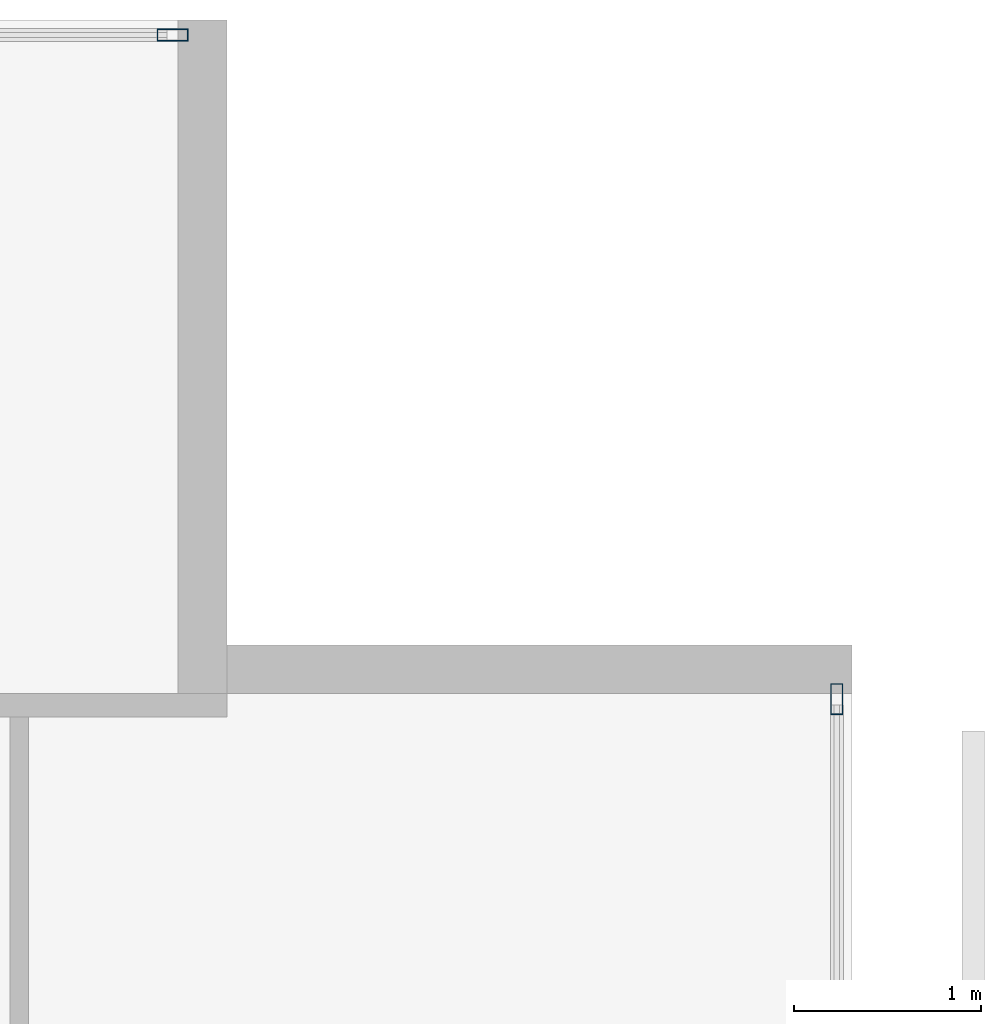
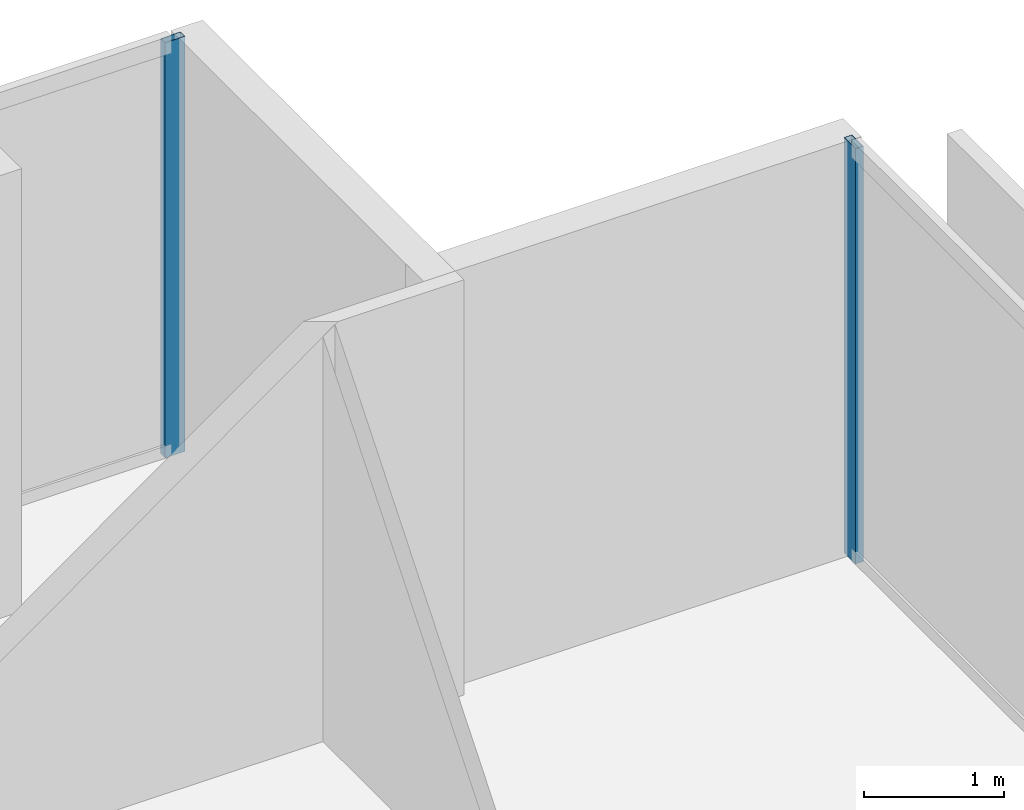
# One storey, part 31 of 39: 2 members, 2 elements without a shape of their own.
"""IFC4 building model written with IfcOpenShell, lengths in metres."""

from ifc_helpers import new_model, si_unit, direction, frame, origin, origin_2d, place, context, subcontext, project, spatial, hollow_rectangle, extrude, material, layer, layer_set, material_profile, profile_set, type_object, element, aggregate, save


model = new_model("IFC4")

# Units and contexts
model_context = context("Model", 3, precision=1e-05, world=origin(), true_north=direction((0.0, 1.0)))
body_context = subcontext(model_context, "Body", "Model", "MODEL_VIEW")
ifc_project = project(units=[si_unit("LENGTHUNIT", "METRE"), si_unit("AREAUNIT", "SQUARE_METRE"), si_unit("VOLUMEUNIT", "CUBIC_METRE"), si_unit("PLANEANGLEUNIT", "RADIAN"), si_unit("MASSUNIT", "GRAM", prefix="KILO")], contexts=[model_context])

# Site, building, storey
site_placement = place(None, origin())
site = spatial("IfcSite", under=ifc_project, at=site_placement, CompositionType="ELEMENT")
building_placement = place(site_placement, origin())
building = spatial("IfcBuilding", under=site, at=building_placement, Name="Maruvema Waterfront Hotel and Observation Tower", CompositionType="ELEMENT")
storey_placement = place(building_placement, frame((0.0, 0.0, 65.449951171875)))
storey = spatial("IfcBuildingStorey", under=building, at=storey_placement, Name="L15", CompositionType="ELEMENT", Elevation=65.449951171875)

# Curtain wall, member
ifc_material_1 = material(Name="Anodised bronze aluminium and solar-control low-E IGU", Category="aluminium")
ifc_layer = layer(ifc_material_1, 0.159912109375, Name="Zone 1 Bronze Inner Thermal Curtain Wall System CW-02")
ifc_layer_set = layer_set([ifc_layer], Name="Anodised bronze aluminium and solar-control low-E IGU")
curtain_wall_type = type_object("IfcCurtainWallType", Name="Zone 1 Bronze Inner Thermal Curtain Wall System CW-02", PredefinedType="USERDEFINED", material=ifc_layer_set)
curtain_wall_1_placement = place(storey_placement, origin())
curtain_wall_1 = element("IfcCurtainWall", 1, at=curtain_wall_1_placement, inside=storey, type_object=curtain_wall_type, Name="L15 Curtain Wall CW-L15-E", ObjectType="UNITISED CURTAIN WALL", PredefinedType="USERDEFINED")
ifc_material_2 = material(Name="Anodised architectural bronze aluminium", Category="aluminium")
ifc_material_profile = material_profile(ifc_material_2, hollow_rectangle(XDim=0.06494140625, YDim=0.1650390625, WallThickness=0.00390625, at=origin_2d()), Name="ALU-M65x165")
ifc_profile_set = profile_set([ifc_material_profile], Name="Anodised architectural bronze aluminium")
member_type = type_object("IfcMemberType", Name="Curtain Wall Primary Mullion ALU-M65x165", PredefinedType="MULLION", material=ifc_profile_set)
member_1_placement = place(storey_placement, frame((64.719970703125, 50.3701171875, 0.0), z_axis=(0.0, 0.0, 1.0), x_axis=(-1.0, 0.0, 0.0)))
member_1 = element("IfcMember", 2, at=member_1_placement, type_object=member_type, Name="CW-02 mullion 7", PredefinedType="MULLION", context=body_context, shape_type="SweptSolid", body=[
    extrude(hollow_rectangle(XDim=0.06494140625, YDim=0.1650390625, WallThickness=0.00390625, at=origin_2d()), origin(), (0.0, 0.0, 1.0), 3.610107421875),
])
aggregate(curtain_wall_1, [member_1])

curtain_wall_2_placement = place(storey_placement, origin())
curtain_wall_2 = element("IfcCurtainWall", 3, at=curtain_wall_2_placement, inside=storey, type_object=curtain_wall_type, Name="L15 Curtain Wall CW-L15-NE", ObjectType="UNITISED CURTAIN WALL", PredefinedType="USERDEFINED")
member_2_placement = place(storey_placement, frame((61.169921875, 53.919921875, 0.0), z_axis=(0.0, 0.0, 1.0), x_axis=(0.0, -1.0, 0.0)))
member_2 = element("IfcMember", 4, at=member_2_placement, type_object=member_type, Name="CW-02 mullion 1", PredefinedType="MULLION", context=body_context, shape_type="SweptSolid", body=[
    extrude(hollow_rectangle(XDim=0.06494140625, YDim=0.1650390625, WallThickness=0.00390625, at=origin_2d()), origin(), (0.0, 0.0, 1.0), 3.610107421875),
])
aggregate(curtain_wall_2, [member_2])

save(model, "model.ifc")
